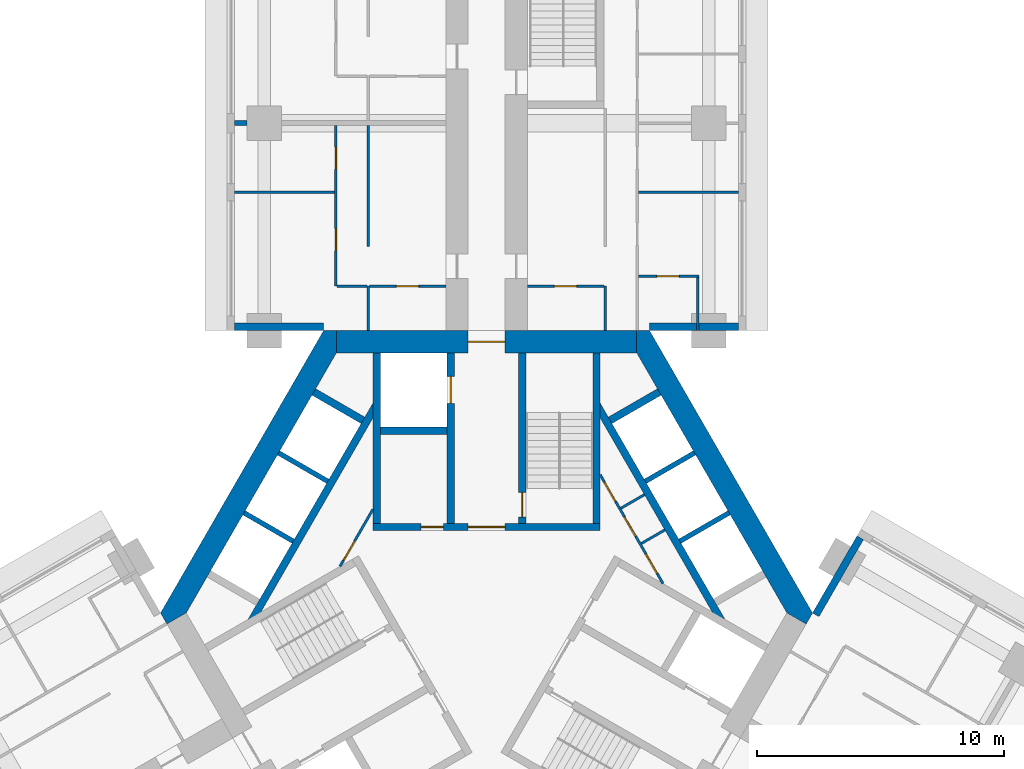
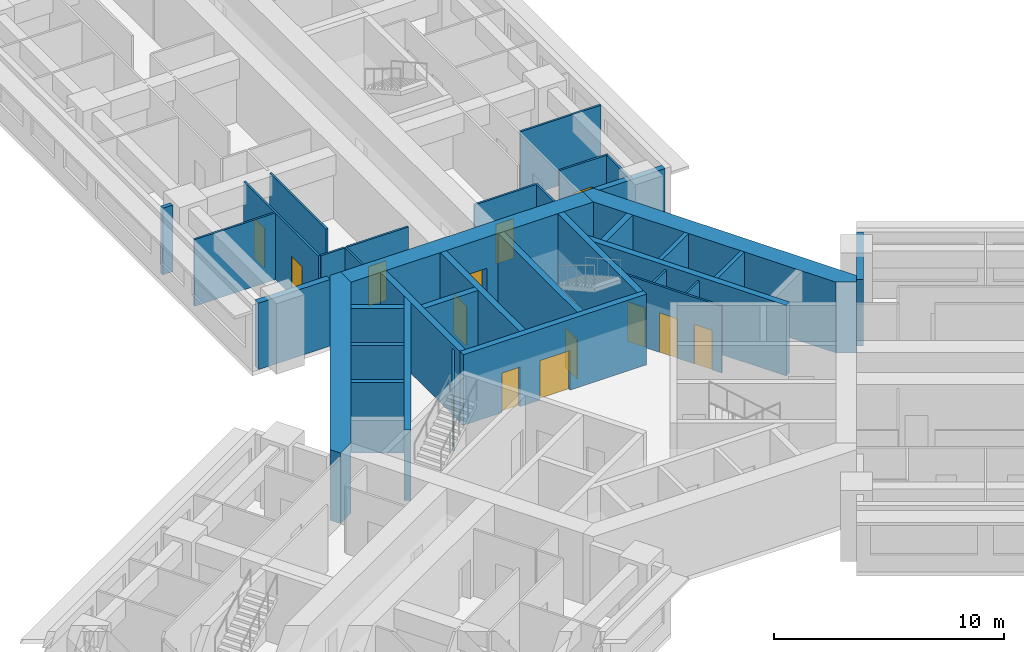
# One storey, part 8 of 15: 36 walls, 14 doors, 14 openings.
"""IFC4 building model written with IfcOpenShell, lengths in metres."""

from ifc_helpers import new_model, si_unit, direction, frame, frame_2d, origin, place, context, subcontext, project, spatial, polyline, rectangle, outline, extrude, material, layer, layer_set, type_object, element, fill, save


model = new_model("IFC4")

# Units and contexts
model_context = context("Model", 3, precision=1e-05, world=origin(), true_north=direction((0.0, 1.0)))
body_context = subcontext(model_context, "Body", "Model", "MODEL_VIEW")
ifc_project = project(units=[si_unit("LENGTHUNIT", "METRE"), si_unit("AREAUNIT", "SQUARE_METRE"), si_unit("VOLUMEUNIT", "CUBIC_METRE"), si_unit("PLANEANGLEUNIT", "RADIAN"), si_unit("MASSUNIT", "GRAM", prefix="KILO")], contexts=[model_context])

# Site, building, storey
site_placement = place(None, origin())
site = spatial("IfcSite", under=ifc_project, at=site_placement, CompositionType="ELEMENT")
building_placement = place(site_placement, origin())
building = spatial("IfcBuilding", under=site, at=building_placement, Name="Impinga Residences", CompositionType="ELEMENT")
storey_placement = place(building_placement, frame((0.0, 0.0, 82.25)))
storey = spatial("IfcBuildingStorey", under=building, at=storey_placement, Name="L20", CompositionType="ELEMENT", Elevation=82.25)

# Wall, openings, doors
ifc_material_1 = material(Name="Concrete blockwork", Category="masonry")
ifc_layer_1 = layer(ifc_material_1, 0.10009765625)
ifc_layer_set_1 = layer_set([ifc_layer_1], Name="CP1 core room partition, blockwork 100")
wall_type_1 = type_object("IfcWallType", Name="CP1 core room partition, blockwork 100", PredefinedType="PARTITIONING", material=ifc_layer_set_1)
wall_1_placement = place(storey_placement, frame((4.60009765625, 5.595703125, 0.0), z_axis=(0.0, 0.0, 1.0), x_axis=(0.499975622669, -0.866039477586, 0.0)))
wall_1 = element("IfcWall", 1, at=wall_1_placement, inside=storey, type_object=wall_type_1, Name="Core room partition, blockwork L20:CORE:mid:FP", PredefinedType="PARTITIONING", context=body_context, shape_type="SweptSolid", body=[
    extrude(rectangle(XDim=5.092041015625, YDim=0.10009765625, at=frame_2d((2.5458984375, 0.0))), origin(), (0.0, 0.0, 1.0), 3.530029296875),
])
opening_1_placement = place(wall_1_placement, frame((0.347900390625, 0.0, 0.0)))
opening_1 = element("IfcOpeningElement", 2, at=opening_1_placement, cuts=wall_1, Name="Opening D6", PredefinedType="OPENING", context=body_context, shape_type="SweptSolid", body=[
    extrude(rectangle(XDim=0.89990234375, YDim=2.10009765625, at=frame_2d((0.449951171875, 1.050048828125))), frame((0.0, 0.06005859375, 0.0), z_axis=(0.0, -1.0, 0.0), x_axis=(1.0, 0.0, 0.0)), (0.0, 0.0, 1.0), 0.1201171875),
])
opening_2_placement = place(wall_1_placement, frame((1.970947265625, 0.0, 0.0)))
opening_2 = element("IfcOpeningElement", 3, at=opening_2_placement, cuts=wall_1, Name="Opening D6", PredefinedType="OPENING", context=body_context, shape_type="SweptSolid", body=[
    extrude(rectangle(XDim=0.89990234375, YDim=2.10009765625, at=frame_2d((0.449951171875, 1.050048828125))), frame((0.0, 0.06005859375, 0.0), z_axis=(0.0, -1.0, 0.0), x_axis=(1.0, 0.0, 0.0)), (0.0, 0.0, 1.0), 0.1201171875),
])
opening_3_placement = place(wall_1_placement, frame((3.718994140625, 0.0, 0.0)))
opening_3 = element("IfcOpeningElement", 4, at=opening_3_placement, cuts=wall_1, Name="Opening D6", PredefinedType="OPENING", context=body_context, shape_type="SweptSolid", body=[
    extrude(rectangle(XDim=0.89990234375, YDim=2.10009765625, at=frame_2d((0.449951171875, 1.050048828125))), frame((0.0, 0.06005859375, 0.0), z_axis=(0.0, -1.0, 0.0), x_axis=(1.0, 0.0, 0.0)), (0.0, 0.0, 1.0), 0.1201171875),
])
ifc_material_2 = material(Name="Timber door set", Category="wood")
door_type_1 = type_object("IfcDoorType", Name="D6 riser and store door 900x2100", OperationType="SINGLE_SWING_LEFT", PredefinedType="DOOR", material=ifc_material_2)
door_1_placement = place(opening_1_placement, origin())
door_1 = element("IfcDoor", 5, at=door_1_placement, inside=storey, type_object=door_type_1, Name="Riser cupboard door", OperationType="SINGLE_SWING_LEFT", OverallHeight=2.10009765625, OverallWidth=0.89990234375, PredefinedType="DOOR", context=body_context, shape_type="SweptSolid", body=[
    extrude(rectangle(XDim=0.89990234375, YDim=2.10009765625, at=frame_2d((0.449951171875, 1.050048828125))), frame((0.0, 0.02490234375, 0.0), z_axis=(0.0, -1.0, 0.0), x_axis=(1.0, 0.0, 0.0)), (0.0, 0.0, 1.0), 0.050048828125),
])
fill(opening_1, door_1)
door_2_placement = place(opening_2_placement, origin())
door_2 = element("IfcDoor", 6, at=door_2_placement, inside=storey, type_object=door_type_1, Name="Linen store door", OperationType="SINGLE_SWING_LEFT", OverallHeight=2.10009765625, OverallWidth=0.89990234375, PredefinedType="DOOR", context=body_context, shape_type="SweptSolid", body=[
    extrude(rectangle(XDim=0.89990234375, YDim=2.10009765625, at=frame_2d((0.449951171875, 1.050048828125))), frame((0.0, 0.02490234375, 0.0), z_axis=(0.0, -1.0, 0.0), x_axis=(1.0, 0.0, 0.0)), (0.0, 0.0, 1.0), 0.050048828125),
])
fill(opening_2, door_2)
door_3_placement = place(opening_3_placement, origin())
door_3 = element("IfcDoor", 7, at=door_3_placement, inside=storey, type_object=door_type_1, Name="Bulky waste store door", OperationType="SINGLE_SWING_RIGHT", OverallHeight=2.10009765625, OverallWidth=0.89990234375, PredefinedType="DOOR", context=body_context, shape_type="SweptSolid", body=[
    extrude(rectangle(XDim=0.89990234375, YDim=2.10009765625, at=frame_2d((0.449951171875, 1.050048828125))), frame((0.0, 0.02490234375, 0.0), z_axis=(0.0, -1.0, 0.0), x_axis=(1.0, 0.0, 0.0)), (0.0, 0.0, 1.0), 0.050048828125),
])
fill(opening_3, door_3)

# Walls
for number, where, z_axis, x_axis, name in (
    (8, (5.441162109375, 4.238525390625, 0.0), (0.0, 0.0, 1.0), (0.866008176907, 0.50002983664, 0.0), "Core room partition, blockwork L20:CORE:mid:FS1"),
    (9, (6.266357421875, 2.8095703125, 0.0), (0.0, 0.0, 1.0), (0.866008176907, 0.50002983664, 0.0), "Core room partition, blockwork L20:CORE:mid:FS2"),
):
    element("IfcWall", number, at=place(storey_placement, frame(where, z_axis=z_axis, x_axis=x_axis)), inside=storey, type_object=wall_type_1, Name=name, PredefinedType="PARTITIONING", context=body_context, shape_type="SweptSolid", body=[
        extrude(rectangle(XDim=1.10009765625, YDim=0.10009765625, at=frame_2d((0.550048828125, 0.0))), origin(), (0.0, 0.0, 1.0), 3.530029296875),
    ])

# Wall, opening, door
wall_2_placement = place(storey_placement, frame((-5.93359375, 1.885986328125, 0.0), z_axis=(0.0, 0.0, 1.0), x_axis=(0.500018294232, 0.866014841347, 0.0)))
wall_2 = element("IfcWall", 10, at=wall_2_placement, inside=storey, type_object=wall_type_1, Name="Core room partition, blockwork L20:CORE:high:FP", PredefinedType="PARTITIONING", context=body_context, shape_type="SweptSolid", body=[
    extrude(rectangle(XDim=2.6669921875, YDim=0.10009765625, at=frame_2d((1.33349609375, 0.0))), origin(), (0.0, 0.0, 1.0), 3.530029296875),
])
opening_4_placement = place(wall_2_placement, frame((0.283447265625, 0.0, 0.0)))
opening_4 = element("IfcOpeningElement", 11, at=opening_4_placement, cuts=wall_2, Name="Opening D6", PredefinedType="OPENING", context=body_context, shape_type="SweptSolid", body=[
    extrude(rectangle(XDim=0.89990234375, YDim=2.10009765625, at=frame_2d((0.449951171875, 1.050048828125))), frame((0.0, 0.06005859375, 0.0), z_axis=(0.0, -1.0, 0.0), x_axis=(1.0, 0.0, 0.0)), (0.0, 0.0, 1.0), 0.1201171875),
])
door_4_placement = place(opening_4_placement, origin())
door_4 = element("IfcDoor", 12, at=door_4_placement, inside=storey, type_object=door_type_1, Name="Refuse and recycling room door", OperationType="SINGLE_SWING_LEFT", OverallHeight=2.10009765625, OverallWidth=0.89990234375, PredefinedType="DOOR", context=body_context, shape_type="SweptSolid", body=[
    extrude(rectangle(XDim=0.89990234375, YDim=2.10009765625, at=frame_2d((0.449951171875, 1.050048828125))), frame((0.0, 0.02490234375, 0.0), z_axis=(0.0, -1.0, 0.0), x_axis=(1.0, 0.0, 0.0)), (0.0, 0.0, 1.0), 0.050048828125),
])
fill(opening_4, door_4)

# Walls
ifc_material_3 = material(Name="Terracotta rainscreen on blockwork", Category="masonry")
ifc_layer_2 = layer(ifc_material_3, 0.300048828125)
ifc_layer_set_2 = layer_set([ifc_layer_2], Name="EW1 external wall, terracotta rainscreen on blockwork 300")
wall_type_2 = type_object("IfcWallType", Name="EW1 external wall, terracotta rainscreen on blockwork 300", PredefinedType="SOLIDWALL", material=ifc_layer_set_2)
for number, where, z_axis, x_axis, name in (
    (13, (-6.60009765625, 11.58154296875, 0.0), (0.0, 0.0, 1.0), (-1.0, 0.0, 0.0), "External wall EW1 L20"),
    (14, (10.199951171875, 11.58154296875, 0.0), (0.0, 0.0, 1.0), (-1.0, 0.0, 0.0), "External wall EW1 L20"),
):
    element("IfcWall", number, at=place(storey_placement, frame(where, z_axis=z_axis, x_axis=x_axis)), inside=storey, type_object=wall_type_2, Name=name, PredefinedType="SOLIDWALL", context=body_context, shape_type="SweptSolid", body=[
        extrude(rectangle(XDim=3.599853515625, YDim=0.300048828125, at=frame_2d((1.7998046875, 0.0))), origin(), (0.0, 0.0, 1.0), 3.530029296875),
    ])
wall_3_placement = place(storey_placement, frame((13.329833984375, -0.074951171875, 0.0), z_axis=(0.0, 0.0, 1.0), x_axis=(0.500012057535, 0.866018442252, 0.0)))
element("IfcWall", 15, at=wall_3_placement, inside=storey, type_object=wall_type_2, Name="External wall EW1 L20", PredefinedType="SOLIDWALL", context=body_context, shape_type="SweptSolid", body=[
    extrude(rectangle(XDim=3.60009765625, YDim=0.300048828125, at=frame_2d((1.800048828125, 0.0))), origin(), (0.0, 0.0, 1.0), 3.530029296875),
])
ifc_material_4 = material(Name="Gypsum board on steel studs", Category="steel")
ifc_layer_3 = layer(ifc_material_4, 0.10009765625)
ifc_layer_set_3 = layer_set([ifc_layer_3], Name="Gypsum board on steel studs")
wall_type_3 = type_object("IfcWallType", Name="IP1 partition 100", PredefinedType="PARTITIONING", material=ifc_layer_set_3)
wall_4_placement = place(storey_placement, frame((-4.800048828125, 11.431640625, 0.0), z_axis=(0.0, 0.0, 1.0), x_axis=(0.0, 1.0, 0.0)))
element("IfcWall", 16, at=wall_4_placement, inside=storey, type_object=wall_type_3, Name="Partition L20-NA1:DIV0", PredefinedType="PARTITIONING", context=body_context, shape_type="SweptSolid", body=[
    extrude(rectangle(XDim=1.7998046875, YDim=0.10009765625, at=frame_2d((0.89990234375, 0.0))), origin(), (0.0, 0.0, 1.0), 3.530029296875),
])
wall_5_placement = place(storey_placement, frame((-4.800048828125, 14.83154296875, 0.0), z_axis=(0.0, 0.0, 1.0), x_axis=(0.0, 1.0, 0.0)))
element("IfcWall", 17, at=wall_5_placement, inside=storey, type_object=wall_type_3, Name="Partition L20-NA1:DIV1", PredefinedType="PARTITIONING", context=body_context, shape_type="SweptSolid", body=[
    extrude(rectangle(XDim=4.89990234375, YDim=0.10009765625, at=frame_2d((2.449951171875, 0.0))), origin(), (0.0, 0.0, 1.0), 3.530029296875),
])

# Wall, openings, doors
wall_6_placement = place(storey_placement, frame((-6.10009765625, 13.2314453125, 0.0), z_axis=(0.0, 0.0, 1.0), x_axis=(0.0, 1.0, 0.0)))
wall_6 = element("IfcWall", 18, at=wall_6_placement, inside=storey, type_object=wall_type_3, Name="Partition L20-NA1:STRIP", PredefinedType="PARTITIONING", context=body_context, shape_type="SweptSolid", body=[
    extrude(rectangle(XDim=6.5, YDim=0.10009765625, at=frame_2d((3.25, 0.0))), origin(), (0.0, 0.0, 1.0), 3.530029296875),
])
opening_5_placement = place(wall_6_placement, frame((1.425048828125, 0.0, 0.0)))
opening_5 = element("IfcOpeningElement", 19, at=opening_5_placement, cuts=wall_6, Name="Opening D2", PredefinedType="OPENING", context=body_context, shape_type="SweptSolid", body=[
    extrude(rectangle(XDim=0.89990234375, YDim=2.10009765625, at=frame_2d((0.449951171875, 1.050048828125))), frame((0.0, 0.06005859375, 0.0), z_axis=(0.0, -1.0, 0.0), x_axis=(1.0, 0.0, 0.0)), (0.0, 0.0, 1.0), 0.1201171875),
])
opening_6_placement = place(wall_6_placement, frame((4.72509765625, 0.0, 0.0)))
opening_6 = element("IfcOpeningElement", 20, at=opening_6_placement, cuts=wall_6, Name="Opening D2", PredefinedType="OPENING", context=body_context, shape_type="SweptSolid", body=[
    extrude(rectangle(XDim=0.89990234375, YDim=2.10009765625, at=frame_2d((0.449951171875, 1.050048828125))), frame((0.0, 0.06005859375, 0.0), z_axis=(0.0, -1.0, 0.0), x_axis=(1.0, 0.0, 0.0)), (0.0, 0.0, 1.0), 0.1201171875),
])
door_type_2 = type_object("IfcDoorType", Name="D2 internal door 900x2100", OperationType="SINGLE_SWING_LEFT", PredefinedType="DOOR", material=ifc_material_2)
door_5_placement = place(opening_5_placement, origin())
door_5 = element("IfcDoor", 21, at=door_5_placement, inside=storey, type_object=door_type_2, Name="Apartment L20-NA1 room door", OperationType="SINGLE_SWING_LEFT", OverallHeight=2.10009765625, OverallWidth=0.89990234375, PredefinedType="DOOR", context=body_context, shape_type="SweptSolid", body=[
    extrude(rectangle(XDim=0.89990234375, YDim=2.10009765625, at=frame_2d((0.449951171875, 1.050048828125))), frame((0.0, 0.02490234375, 0.0), z_axis=(0.0, -1.0, 0.0), x_axis=(1.0, 0.0, 0.0)), (0.0, 0.0, 1.0), 0.050048828125),
])
fill(opening_5, door_5)
door_6_placement = place(opening_6_placement, origin())
door_6 = element("IfcDoor", 22, at=door_6_placement, inside=storey, type_object=door_type_2, Name="Apartment L20-NA1 room door", OperationType="SINGLE_SWING_RIGHT", OverallHeight=2.10009765625, OverallWidth=0.89990234375, PredefinedType="DOOR", context=body_context, shape_type="SweptSolid", body=[
    extrude(rectangle(XDim=0.89990234375, YDim=2.10009765625, at=frame_2d((0.449951171875, 1.050048828125))), frame((0.0, 0.02490234375, 0.0), z_axis=(0.0, -1.0, 0.0), x_axis=(1.0, 0.0, 0.0)), (0.0, 0.0, 1.0), 0.050048828125),
])
fill(opening_6, door_6)

# Wall
wall_7_placement = place(storey_placement, frame((-4.85009765625, 13.2314453125, 0.0), z_axis=(0.0, 0.0, 1.0), x_axis=(-1.0, 0.0, 0.0)))
element("IfcWall", 23, at=wall_7_placement, inside=storey, type_object=wall_type_3, Name="Partition L20-NA1:SE0", PredefinedType="PARTITIONING", context=body_context, shape_type="SweptSolid", body=[
    extrude(rectangle(XDim=1.199951171875, YDim=0.10009765625, at=frame_2d((0.60009765625, 0.0))), origin(), (0.0, 0.0, 1.0), 3.530029296875),
])

# Wall, opening, door
wall_8_placement = place(storey_placement, frame((-1.64990234375, 13.2314453125, 0.0), z_axis=(0.0, 0.0, 1.0), x_axis=(-1.0, 0.0, 0.0)))
wall_8 = element("IfcWall", 24, at=wall_8_placement, inside=storey, type_object=wall_type_3, Name="Partition L20-NA1:IB1", PredefinedType="PARTITIONING", context=body_context, shape_type="SweptSolid", body=[
    extrude(rectangle(XDim=3.10009765625, YDim=0.10009765625, at=frame_2d((1.550048828125, 0.0))), origin(), (0.0, 0.0, 1.0), 3.530029296875),
])
opening_7_placement = place(wall_8_placement, frame((1.10009765625, 0.0, 0.0)))
opening_7 = element("IfcOpeningElement", 25, at=opening_7_placement, cuts=wall_8, Name="Opening D2", PredefinedType="OPENING", context=body_context, shape_type="SweptSolid", body=[
    extrude(rectangle(XDim=0.89990234375, YDim=2.10009765625, at=frame_2d((0.449951171875, 1.050048828125))), frame((0.0, 0.06005859375, 0.0), z_axis=(0.0, -1.0, 0.0), x_axis=(1.0, 0.0, 0.0)), (0.0, 0.0, 1.0), 0.1201171875),
])
door_7_placement = place(opening_7_placement, origin())
door_7 = element("IfcDoor", 26, at=door_7_placement, inside=storey, type_object=door_type_2, Name="Apartment L20-NA1 bathroom door", OperationType="SINGLE_SWING_LEFT", OverallHeight=2.10009765625, OverallWidth=0.89990234375, PredefinedType="DOOR", context=body_context, shape_type="SweptSolid", body=[
    extrude(rectangle(XDim=0.89990234375, YDim=2.10009765625, at=frame_2d((0.449951171875, 1.050048828125))), frame((0.0, 0.02490234375, 0.0), z_axis=(0.0, -1.0, 0.0), x_axis=(1.0, 0.0, 0.0)), (0.0, 0.0, 1.0), 0.050048828125),
])
fill(opening_7, door_7)

# Walls
wall_9_placement = place(storey_placement, frame((-6.14990234375, 17.031494140625, 0.0), z_axis=(0.0, 0.0, 1.0), x_axis=(-1.0, 0.0, 0.0)))
element("IfcWall", 27, at=wall_9_placement, inside=storey, type_object=wall_type_3, Name="Partition L20-NA1:OB1", PredefinedType="PARTITIONING", context=body_context, shape_type="SweptSolid", body=[
    extrude(rectangle(XDim=4.050048828125, YDim=0.10009765625, at=frame_2d((2.02490234375, 0.0))), origin(), (0.0, 0.0, 1.0), 3.530029296875),
])
wall_10_placement = place(storey_placement, frame((4.800048828125, 11.431640625, 0.0), z_axis=(0.0, 0.0, 1.0), x_axis=(0.0, 1.0, 0.0)))
element("IfcWall", 28, at=wall_10_placement, inside=storey, type_object=wall_type_3, Name="Partition L20-NF1:DIV0", PredefinedType="PARTITIONING", context=body_context, shape_type="SweptSolid", body=[
    extrude(rectangle(XDim=1.7998046875, YDim=0.10009765625, at=frame_2d((0.89990234375, 0.0))), origin(), (0.0, 0.0, 1.0), 3.530029296875),
])

# Wall, opening, door
wall_11_placement = place(storey_placement, frame((1.64990234375, 13.2314453125, 0.0), z_axis=(0.0, 0.0, 1.0), x_axis=(1.0, 0.0, 0.0)))
wall_11 = element("IfcWall", 29, at=wall_11_placement, inside=storey, type_object=wall_type_3, Name="Partition L20-NF1:IB1", PredefinedType="PARTITIONING", context=body_context, shape_type="SweptSolid", body=[
    extrude(rectangle(XDim=3.10009765625, YDim=0.10009765625, at=frame_2d((1.550048828125, 0.0))), origin(), (0.0, 0.0, 1.0), 3.530029296875),
])
opening_8_placement = place(wall_11_placement, frame((1.10009765625, 0.0, 0.0)))
opening_8 = element("IfcOpeningElement", 30, at=opening_8_placement, cuts=wall_11, Name="Opening D2", PredefinedType="OPENING", context=body_context, shape_type="SweptSolid", body=[
    extrude(rectangle(XDim=0.89990234375, YDim=2.10009765625, at=frame_2d((0.449951171875, 1.050048828125))), frame((0.0, 0.06005859375, 0.0), z_axis=(0.0, -1.0, 0.0), x_axis=(1.0, 0.0, 0.0)), (0.0, 0.0, 1.0), 0.1201171875),
])
door_8_placement = place(opening_8_placement, origin())
door_8 = element("IfcDoor", 31, at=door_8_placement, inside=storey, type_object=door_type_2, Name="Apartment L20-NF1 bathroom door", OperationType="SINGLE_SWING_LEFT", OverallHeight=2.10009765625, OverallWidth=0.89990234375, PredefinedType="DOOR", context=body_context, shape_type="SweptSolid", body=[
    extrude(rectangle(XDim=0.89990234375, YDim=2.10009765625, at=frame_2d((0.449951171875, 1.050048828125))), frame((0.0, 0.02490234375, 0.0), z_axis=(0.0, -1.0, 0.0), x_axis=(1.0, 0.0, 0.0)), (0.0, 0.0, 1.0), 0.050048828125),
])
fill(opening_8, door_8)

# Wall
wall_12_placement = place(storey_placement, frame((6.14990234375, 17.031494140625, 0.0), z_axis=(0.0, 0.0, 1.0), x_axis=(1.0, 0.0, 0.0)))
element("IfcWall", 32, at=wall_12_placement, inside=storey, type_object=wall_type_3, Name="Partition L20-NF1:OB1", PredefinedType="PARTITIONING", context=body_context, shape_type="SweptSolid", body=[
    extrude(rectangle(XDim=4.050048828125, YDim=0.10009765625, at=frame_2d((2.02490234375, 0.0))), origin(), (0.0, 0.0, 1.0), 3.530029296875),
])

# Wall, opening, door
wall_13_placement = place(storey_placement, frame((6.14990234375, 13.631591796875, 0.0), z_axis=(0.0, 0.0, 1.0), x_axis=(1.0, 0.0, 0.0)))
wall_13 = element("IfcWall", 33, at=wall_13_placement, inside=storey, type_object=wall_type_3, Name="Partition L20-NF1:EN1", PredefinedType="PARTITIONING", context=body_context, shape_type="SweptSolid", body=[
    extrude(rectangle(XDim=2.4501953125, YDim=0.10009765625, at=frame_2d((1.22509765625, 0.0))), origin(), (0.0, 0.0, 1.0), 3.530029296875),
])
opening_9_placement = place(wall_13_placement, frame((0.75, 0.0, 0.0)))
opening_9 = element("IfcOpeningElement", 34, at=opening_9_placement, cuts=wall_13, Name="Opening D2", PredefinedType="OPENING", context=body_context, shape_type="SweptSolid", body=[
    extrude(rectangle(XDim=0.89990234375, YDim=2.10009765625, at=frame_2d((0.449951171875, 1.050048828125))), frame((0.0, 0.06005859375, 0.0), z_axis=(0.0, -1.0, 0.0), x_axis=(1.0, 0.0, 0.0)), (0.0, 0.0, 1.0), 0.1201171875),
])
door_9_placement = place(opening_9_placement, origin())
door_9 = element("IfcDoor", 35, at=door_9_placement, inside=storey, type_object=door_type_2, Name="Apartment L20-NF1 en-suite door", OperationType="SINGLE_SWING_LEFT", OverallHeight=2.10009765625, OverallWidth=0.89990234375, PredefinedType="DOOR", context=body_context, shape_type="SweptSolid", body=[
    extrude(rectangle(XDim=0.89990234375, YDim=2.10009765625, at=frame_2d((0.449951171875, 1.050048828125))), frame((0.0, 0.02490234375, 0.0), z_axis=(0.0, -1.0, 0.0), x_axis=(1.0, 0.0, 0.0)), (0.0, 0.0, 1.0), 0.050048828125),
])
fill(opening_9, door_9)

# Walls
wall_14_placement = place(storey_placement, frame((8.550048828125, 11.431640625, 0.0), z_axis=(0.0, 0.0, 1.0), x_axis=(0.0, 1.0, 0.0)))
element("IfcWall", 36, at=wall_14_placement, inside=storey, type_object=wall_type_3, Name="Partition L20-NF1:EN2", PredefinedType="PARTITIONING", context=body_context, shape_type="SweptSolid", body=[
    extrude(rectangle(XDim=2.14990234375, YDim=0.10009765625, at=frame_2d((1.074951171875, 0.0))), origin(), (0.0, 0.0, 1.0), 3.530029296875),
])
ifc_layer_4 = layer(ifc_material_1, 0.199951171875)
ifc_layer_set_4 = layer_set([ifc_layer_4], Name="PW1 party wall between apartments 200")
wall_type_4 = type_object("IfcWallType", Name="PW1 party wall between apartments 200", PredefinedType="SOLIDWALL", material=ifc_layer_set_4)
wall_15_placement = place(storey_placement, frame((-9.699951171875, 19.83154296875, 0.0), z_axis=(0.0, 0.0, 1.0), x_axis=(-1.0, 0.0, 0.0)))
element("IfcWall", 37, at=wall_15_placement, inside=storey, type_object=wall_type_4, Name="Party wall between apartments L20-NA1:PARTYb", PredefinedType="SOLIDWALL", context=body_context, shape_type="SweptSolid", body=[
    extrude(rectangle(XDim=0.5, YDim=0.199951171875, at=frame_2d((0.25, 0.0))), origin(), (0.0, 0.0, 1.0), 3.530029296875),
])

# Wall, opening, door
ifc_material_5 = material(Name="Concrete C70/85", Category="concrete")
ifc_layer_5 = layer(ifc_material_5, 0.89990234375)
ifc_layer_set_5 = layer_set([ifc_layer_5], Name="Concrete C70/85")
wall_type_5 = type_object("IfcWallType", Name="SW1 core wall 900", PredefinedType="SHEAR", material=ifc_layer_set_5)
wall_16_placement = place(storey_placement, frame((-6.080322265625, 10.9814453125, 0.0), z_axis=(0.0, 0.0, 1.0), x_axis=(1.0, 0.0, 0.0)))
wall_16 = element("IfcWall", 38, at=wall_16_placement, inside=storey, type_object=wall_type_5, Name="Core wall SW1 N:FACE L20", PredefinedType="SHEAR", context=body_context, shape_type="SweptSolid", body=[
    extrude(rectangle(XDim=12.16064453125, YDim=0.89990234375, at=frame_2d((6.080322265625, 0.0))), origin(), (0.0, 0.0, 1.0), 3.75),
])
opening_10_placement = place(wall_16_placement, frame((5.330322265625, 0.0, 0.0)))
opening_10 = element("IfcOpeningElement", 39, at=opening_10_placement, cuts=wall_16, Name="Opening D4", PredefinedType="OPENING", context=body_context, shape_type="SweptSolid", body=[
    extrude(rectangle(XDim=1.5, YDim=2.10009765625, at=frame_2d((0.75, 1.050048828125))), frame((0.0, 0.4599609375, 0.0), z_axis=(0.0, -1.0, 0.0), x_axis=(1.0, 0.0, 0.0)), (0.0, 0.0, 1.0), 0.919921875),
])
door_type_3 = type_object("IfcDoorType", Name="D4 lobby door pair 1500x2100", OperationType="DOUBLE_DOOR_DOUBLE_SWING", PredefinedType="DOOR", material=ifc_material_2)
door_10_placement = place(opening_10_placement, origin())
door_10 = element("IfcDoor", 40, at=door_10_placement, inside=storey, type_object=door_type_3, Name="Lobby door N", OperationType="DOUBLE_DOOR_DOUBLE_SWING", OverallHeight=2.10009765625, OverallWidth=1.5, PredefinedType="DOOR", context=body_context, shape_type="SweptSolid", body=[
    extrude(rectangle(XDim=1.5, YDim=2.10009765625, at=frame_2d((0.75, 1.050048828125))), frame((0.0, 0.02490234375, 0.0), z_axis=(0.0, -1.0, 0.0), x_axis=(1.0, 0.0, 0.0)), (0.0, 0.0, 1.0), 0.050048828125),
])
fill(opening_10, door_10)

# Walls
wall_17_placement = place(storey_placement, origin())
element("IfcWall", 41, at=wall_17_placement, inside=storey, type_object=wall_type_5, Name="Core wall SW1 W:EXPOSED L20", PredefinedType="SHEAR", context=body_context, shape_type="SweptSolid", body=[
    extrude(outline(polyline([(13.199951171875, 0.0), (6.60009765625, 11.431640625), (6.080322265625, 11.431640625), (6.080322265625, 10.531494140625), (12.160888671875, 0.0), (12.940185546875, -0.449951171875), (13.199951171875, 0.0)])), origin(), (0.0, 0.0, 1.0), 3.75),
])
wall_18_placement = place(storey_placement, origin())
element("IfcWall", 42, at=wall_18_placement, inside=storey, type_object=wall_type_5, Name="Core wall SW1 E:EXPOSED L20", PredefinedType="SHEAR", context=body_context, shape_type="SweptSolid", body=[
    extrude(outline(polyline([(-6.60009765625, 11.431640625), (-13.199951171875, 0.0), (-12.940185546875, -0.449951171875), (-12.160888671875, 0.0), (-6.080322265625, 10.531494140625), (-6.080322265625, 11.431640625), (-6.60009765625, 11.431640625)])), origin(), (0.0, 0.0, 1.0), 3.75),
])

# Wall, openings, doors
ifc_layer_6 = layer(ifc_material_5, 0.300048828125)
ifc_layer_set_6 = layer_set([ifc_layer_6], Name="Concrete C70/85")
wall_type_6 = type_object("IfcWallType", Name="SW5 core inner wall, stairs, shafts and lobbies 300", PredefinedType="SHEAR", material=ifc_layer_set_6)
wall_19_placement = place(storey_placement, frame((-4.60009765625, 3.47998046875, 0.0), z_axis=(0.0, 0.0, 1.0), x_axis=(1.0, 0.0, 0.0)))
wall_19 = element("IfcWall", 43, at=wall_19_placement, inside=storey, type_object=wall_type_6, Name="Core wall SW5 N:ZONE L20", PredefinedType="SHEAR", context=body_context, shape_type="SweptSolid", body=[
    extrude(rectangle(XDim=9.2001953125, YDim=0.300048828125, at=frame_2d((4.60009765625, 0.0))), origin(), (0.0, 0.0, 1.0), 3.75),
])
opening_11_placement = place(wall_19_placement, frame((3.85009765625, 0.0, 0.0)))
opening_11 = element("IfcOpeningElement", 44, at=opening_11_placement, cuts=wall_19, Name="Opening D4", PredefinedType="OPENING", context=body_context, shape_type="SweptSolid", body=[
    extrude(rectangle(XDim=1.5, YDim=2.10009765625, at=frame_2d((0.75, 1.050048828125))), frame((0.0, 0.159912109375, 0.0), z_axis=(0.0, -1.0, 0.0), x_axis=(1.0, 0.0, 0.0)), (0.0, 0.0, 1.0), 0.320068359375),
])
opening_12_placement = place(wall_19_placement, frame((1.949951171875, 0.0, 0.0)))
opening_12 = element("IfcOpeningElement", 45, at=opening_12_placement, cuts=wall_19, Name="Opening D6", PredefinedType="OPENING", context=body_context, shape_type="SweptSolid", body=[
    extrude(rectangle(XDim=0.89990234375, YDim=2.10009765625, at=frame_2d((0.449951171875, 1.050048828125))), frame((0.0, 0.159912109375, 0.0), z_axis=(0.0, -1.0, 0.0), x_axis=(1.0, 0.0, 0.0)), (0.0, 0.0, 1.0), 0.320068359375),
])
door_11_placement = place(opening_11_placement, origin())
door_11 = element("IfcDoor", 46, at=door_11_placement, inside=storey, type_object=door_type_3, Name="Firefighting lobby door N", OperationType="DOUBLE_DOOR_DOUBLE_SWING", OverallHeight=2.10009765625, OverallWidth=1.5, PredefinedType="DOOR", context=body_context, shape_type="SweptSolid", body=[
    extrude(rectangle(XDim=1.5, YDim=2.10009765625, at=frame_2d((0.75, 1.050048828125))), frame((0.0, 0.02490234375, 0.0), z_axis=(0.0, -1.0, 0.0), x_axis=(1.0, 0.0, 0.0)), (0.0, 0.0, 1.0), 0.050048828125),
])
fill(opening_11, door_11)
door_12_placement = place(opening_12_placement, origin())
door_12 = element("IfcDoor", 47, at=door_12_placement, inside=storey, type_object=door_type_1, Name="Riser door N", OperationType="SINGLE_SWING_LEFT", OverallHeight=2.10009765625, OverallWidth=0.89990234375, PredefinedType="DOOR", context=body_context, shape_type="SweptSolid", body=[
    extrude(rectangle(XDim=0.89990234375, YDim=2.10009765625, at=frame_2d((0.449951171875, 1.050048828125))), frame((0.0, 0.02490234375, 0.0), z_axis=(0.0, -1.0, 0.0), x_axis=(1.0, 0.0, 0.0)), (0.0, 0.0, 1.0), 0.050048828125),
])
fill(opening_12, door_12)

# Wall, opening, door
wall_20_placement = place(storey_placement, frame((1.449951171875, 3.6298828125, 0.0), z_axis=(0.0, 0.0, 1.0), x_axis=(0.0, 1.0, 0.0)))
wall_20 = element("IfcWall", 48, at=wall_20_placement, inside=storey, type_object=wall_type_6, Name="Core wall SW5 N:ST-IN L20", PredefinedType="SHEAR", context=body_context, shape_type="SweptSolid", body=[
    extrude(rectangle(XDim=6.901611328125, YDim=0.300048828125, at=frame_2d((3.45068359375, 0.0))), origin(), (0.0, 0.0, 1.0), 3.75),
])
opening_13_placement = place(wall_20_placement, frame((0.25, 0.0, 0.0)))
opening_13 = element("IfcOpeningElement", 49, at=opening_13_placement, cuts=wall_20, Name="Opening D5", PredefinedType="OPENING", context=body_context, shape_type="SweptSolid", body=[
    extrude(rectangle(XDim=1.0, YDim=2.10009765625, at=frame_2d((0.5, 1.050048828125))), frame((0.0, 0.159912109375, 0.0), z_axis=(0.0, -1.0, 0.0), x_axis=(1.0, 0.0, 0.0)), (0.0, 0.0, 1.0), 0.320068359375),
])
door_type_4 = type_object("IfcDoorType", Name="D5 stair door 1000x2100", OperationType="SINGLE_SWING_LEFT", PredefinedType="DOOR", material=ifc_material_2)
door_13_placement = place(opening_13_placement, origin())
door_13 = element("IfcDoor", 50, at=door_13_placement, inside=storey, type_object=door_type_4, Name="Stair door N", OperationType="SINGLE_SWING_LEFT", OverallHeight=2.10009765625, OverallWidth=1.0, PredefinedType="DOOR", context=body_context, shape_type="SweptSolid", body=[
    extrude(rectangle(XDim=1.0, YDim=2.10009765625, at=frame_2d((0.5, 1.050048828125))), frame((0.0, 0.02490234375, 0.0), z_axis=(0.0, -1.0, 0.0), x_axis=(1.0, 0.0, 0.0)), (0.0, 0.0, 1.0), 0.050048828125),
])
fill(opening_13, door_13)

# Wall
wall_21_placement = place(storey_placement, frame((4.449951171875, 3.6298828125, 0.0), z_axis=(0.0, 0.0, 1.0), x_axis=(0.0, 1.0, 0.0)))
element("IfcWall", 51, at=wall_21_placement, inside=storey, type_object=wall_type_6, Name="Core wall SW5 N:ST-OUT L20", PredefinedType="SHEAR", context=body_context, shape_type="SweptSolid", body=[
    extrude(rectangle(XDim=6.901611328125, YDim=0.300048828125, at=frame_2d((3.45068359375, 0.0))), origin(), (0.0, 0.0, 1.0), 3.75),
])

# Wall, opening, door
wall_22_placement = place(storey_placement, frame((-1.449951171875, 3.6298828125, 0.0), z_axis=(0.0, 0.0, 1.0), x_axis=(0.0, 1.0, 0.0)))
wall_22 = element("IfcWall", 52, at=wall_22_placement, inside=storey, type_object=wall_type_6, Name="Core wall SW5 N:FF-IN L20", PredefinedType="SHEAR", context=body_context, shape_type="SweptSolid", body=[
    extrude(rectangle(XDim=6.901611328125, YDim=0.300048828125, at=frame_2d((3.45068359375, 0.0))), origin(), (0.0, 0.0, 1.0), 3.75),
])
opening_14_placement = place(wall_22_placement, frame((4.85009765625, 0.0, 0.0)))
opening_14 = element("IfcOpeningElement", 53, at=opening_14_placement, cuts=wall_22, Name="Opening LD2", PredefinedType="OPENING", context=body_context, shape_type="SweptSolid", body=[
    extrude(rectangle(XDim=1.10009765625, YDim=2.10009765625, at=frame_2d((0.550048828125, 1.050048828125))), frame((0.0, 0.159912109375, 0.0), z_axis=(0.0, -1.0, 0.0), x_axis=(1.0, 0.0, 0.0)), (0.0, 0.0, 1.0), 0.320068359375),
])
ifc_material_6 = material(Name="Steel lift landing door", Category="steel")
door_type_5 = type_object("IfcDoorType", Name="LD2 firefighting lift landing door 1100x2100", OperationType="DOUBLE_DOOR_SLIDING", PredefinedType="DOOR", material=ifc_material_6)
door_14_placement = place(opening_14_placement, origin())
door_14 = element("IfcDoor", 54, at=door_14_placement, inside=storey, type_object=door_type_5, Name="Firefighting lift landing door F1", OperationType="DOUBLE_DOOR_SLIDING", OverallHeight=2.10009765625, OverallWidth=1.10009765625, PredefinedType="DOOR", context=body_context, shape_type="SweptSolid", body=[
    extrude(rectangle(XDim=1.10009765625, YDim=2.10009765625, at=frame_2d((0.550048828125, 1.050048828125))), frame((0.0, 0.02490234375, 0.0), z_axis=(0.0, -1.0, 0.0), x_axis=(1.0, 0.0, 0.0)), (0.0, 0.0, 1.0), 0.050048828125),
])
fill(opening_14, door_14)

# Walls
wall_23_placement = place(storey_placement, frame((-4.449951171875, 3.6298828125, 0.0), z_axis=(0.0, 0.0, 1.0), x_axis=(0.0, 1.0, 0.0)))
element("IfcWall", 55, at=wall_23_placement, inside=storey, type_object=wall_type_6, Name="Core wall SW5 N:FF-OUT L20", PredefinedType="SHEAR", context=body_context, shape_type="SweptSolid", body=[
    extrude(rectangle(XDim=6.901611328125, YDim=0.300048828125, at=frame_2d((3.45068359375, 0.0))), origin(), (0.0, 0.0, 1.0), 3.75),
])
wall_24_placement = place(storey_placement, frame((-4.300048828125, 7.3798828125, 0.0), z_axis=(0.0, 0.0, 1.0), x_axis=(1.0, 0.0, 0.0)))
element("IfcWall", 56, at=wall_24_placement, inside=storey, type_object=wall_type_6, Name="Core wall SW5 N:FF-RS L20", PredefinedType="SHEAR", context=body_context, shape_type="SweptSolid", body=[
    extrude(rectangle(XDim=2.699951171875, YDim=0.300048828125, at=frame_2d((1.35009765625, 0.0))), origin(), (0.0, 0.0, 1.0), 3.75),
])
wall_25_placement = place(storey_placement, frame((4.449951171875, 8.455322265625, 0.0), z_axis=(0.0, 0.0, 1.0), x_axis=(0.500002290144, -0.866024081565, 0.0)))
element("IfcWall", 57, at=wall_25_placement, inside=storey, type_object=wall_type_6, Name="Core wall SW5 W:BANK-FRONT L20", PredefinedType="SHEAR", context=body_context, shape_type="SweptSolid", body=[
    extrude(rectangle(XDim=10.1953125, YDim=0.300048828125, at=frame_2d((5.09765625, 0.0))), origin(), (0.0, 0.0, 1.0), 3.75),
])
wall_26_placement = place(storey_placement, frame((5.003662109375, 7.79638671875, 0.0), z_axis=(0.0, 0.0, 1.0), x_axis=(0.866053019151, 0.499952165731, 0.0)))
element("IfcWall", 58, at=wall_26_placement, inside=storey, type_object=wall_type_6, Name="Core wall SW5 W:BANK-L L20", PredefinedType="SHEAR", context=body_context, shape_type="SweptSolid", body=[
    extrude(rectangle(XDim=2.300048828125, YDim=0.300048828125, at=frame_2d((1.14990234375, 0.0))), origin(), (0.0, 0.0, 1.0), 3.75),
])
wall_27_placement = place(storey_placement, frame((-9.547607421875, -0.3740234375, 0.0), z_axis=(0.0, 0.0, 1.0), x_axis=(0.500002290144, 0.866024081565, 0.0)))
element("IfcWall", 59, at=wall_27_placement, inside=storey, type_object=wall_type_6, Name="Core wall SW5 E:BANK-FRONT L20", PredefinedType="SHEAR", context=body_context, shape_type="SweptSolid", body=[
    extrude(rectangle(XDim=10.1953125, YDim=0.300048828125, at=frame_2d((5.09765625, 0.0))), origin(), (0.0, 0.0, 1.0), 3.75),
])
wall_28_placement = place(storey_placement, frame((-5.003662109375, 7.79638671875, 0.0), z_axis=(0.0, 0.0, 1.0), x_axis=(-0.866053019151, 0.499952165731, 0.0)))
element("IfcWall", 60, at=wall_28_placement, inside=storey, type_object=wall_type_6, Name="Core wall SW5 E:BANK-R L20", PredefinedType="SHEAR", context=body_context, shape_type="SweptSolid", body=[
    extrude(rectangle(XDim=2.300048828125, YDim=0.300048828125, at=frame_2d((1.14990234375, 0.0))), origin(), (0.0, 0.0, 1.0), 3.75),
])
ifc_layer_7 = layer(ifc_material_5, 0.199951171875)
ifc_layer_set_7 = layer_set([ifc_layer_7], Name="Concrete C70/85")
wall_type_7 = type_object("IfcWallType", Name="SW6 lift shaft divider wall 200", PredefinedType="SHEAR", material=ifc_layer_set_7)
for number, where, z_axis, x_axis, name in (
    (61, (6.4287109375, 5.328125, 0.0), (0.0, 0.0, 1.0), (0.866007057882, 0.500031774688, 0.0), "Core wall SW6 W:BANK-D1 L20"),
    (62, (7.82861328125, 2.9033203125, 0.0), (0.0, 0.0, 1.0), (0.866053019151, 0.499952165731, 0.0), "Core wall SW6 W:BANK-D2 L20"),
    (63, (-7.82861328125, 2.9033203125, 0.0), (0.0, 0.0, 1.0), (-0.866053019151, 0.499952165731, 0.0), "Core wall SW6 E:BANK-D1 L20"),
    (64, (-6.4287109375, 5.328125, 0.0), (0.0, 0.0, 1.0), (-0.866007057882, 0.500031774688, 0.0), "Core wall SW6 E:BANK-D2 L20"),
):
    element("IfcWall", number, at=place(storey_placement, frame(where, z_axis=z_axis, x_axis=x_axis)), inside=storey, type_object=wall_type_7, Name=name, PredefinedType="SHEAR", context=body_context, shape_type="SweptSolid", body=[
        extrude(rectangle(XDim=2.300048828125, YDim=0.199951171875, at=frame_2d((1.14990234375, 0.0))), origin(), (0.0, 0.0, 1.0), 3.75),
    ])

save(model, "model.ifc")
